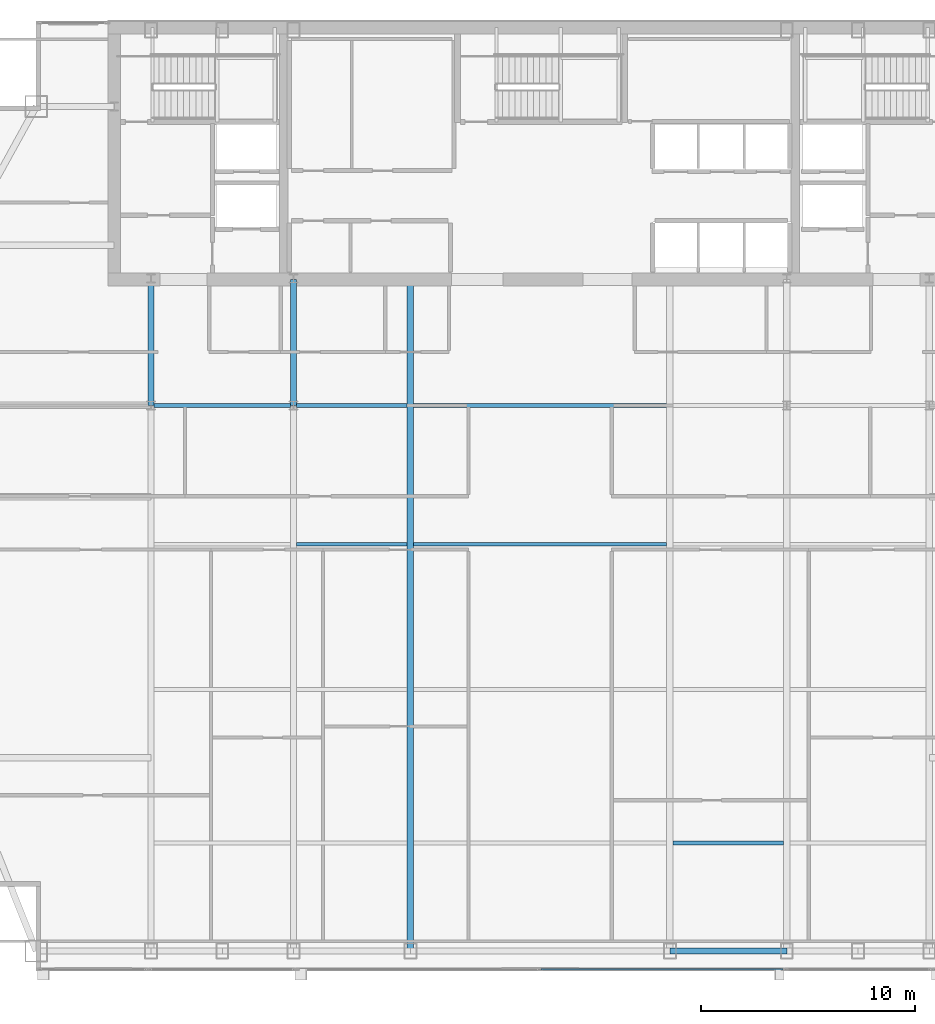
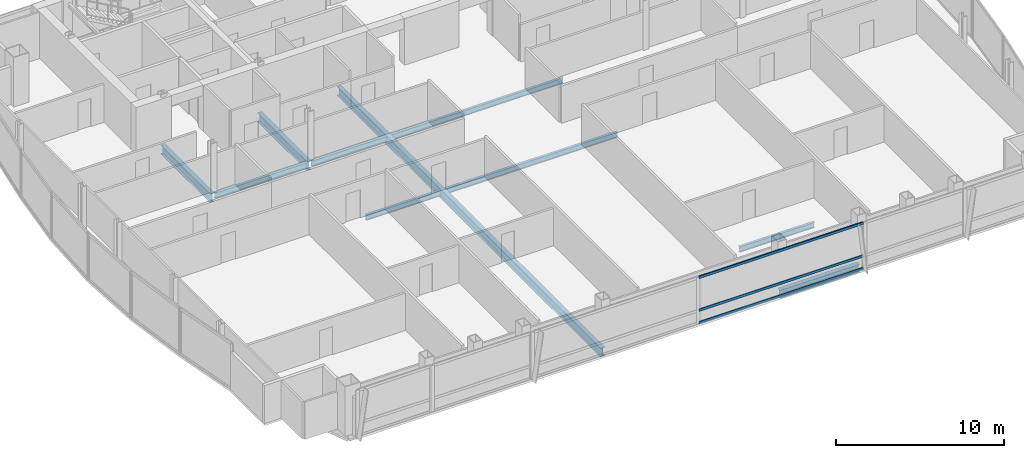
# One storey, part 13 of 30: 10 beams, 3 members, 1 element without a shape of its own.
"""IFC4 building model written with IfcOpenShell, lengths in metres."""

from ifc_helpers import new_model, si_unit, direction, frame, origin, origin_2d, place, context, subcontext, project, spatial, hollow_rectangle, i_section, extrude, material, material_profile, profile_set, type_object, element, aggregate, save


model = new_model("IFC4")

# Units and contexts
model_context = context("Model", 3, precision=1e-05, world=origin(), true_north=direction((0.0, 1.0)))
body_context = subcontext(model_context, "Body", "Model", "MODEL_VIEW")
ifc_project = project(units=[si_unit("LENGTHUNIT", "METRE"), si_unit("AREAUNIT", "SQUARE_METRE"), si_unit("VOLUMEUNIT", "CUBIC_METRE"), si_unit("PLANEANGLEUNIT", "RADIAN"), si_unit("MASSUNIT", "GRAM", prefix="KILO")], contexts=[model_context])

# Site, building, storey
site_placement = place(None, origin())
site = spatial("IfcSite", under=ifc_project, at=site_placement, CompositionType="ELEMENT")
building_placement = place(site_placement, origin())
building = spatial("IfcBuilding", under=site, at=building_placement, Name="Khoronbel Lancet Exchange", CompositionType="ELEMENT")
storey_placement = place(building_placement, frame((0.0, 0.0, 253.39990234375)))
storey = spatial("IfcBuildingStorey", under=building, at=storey_placement, Name="L65", CompositionType="ELEMENT", Elevation=253.39990234375)

# Beams
ifc_material_1 = material(Name="Steel S355", Category="steel")
ifc_material_profile_1 = material_profile(ifc_material_1, i_section(OverallWidth=0.300048828125, OverallDepth=0.64990234375, WebThickness=0.01611328125, FlangeThickness=0.031005859375, at=origin_2d()), Name="HEB 650")
ifc_profile_set_1 = profile_set([ifc_material_profile_1], Name="Steel S355")
beam_type_1 = type_object("IfcBeamType", Name="BM-BG4", PredefinedType="BEAM", material=ifc_profile_set_1)
for number, where, z_axis, x_axis, name in (
    (1, (18.22509765625, 35.699951171875, -0.48486328125), (0.0, 1.0, 0.0), (-1.0, 0.0, 0.0), "Level L65 spine tie girder GN1"),
    (2, (24.89990234375, 35.699951171875, -0.48486328125), (0.0, 1.0, 0.0), (-1.0, 0.0, 0.0), "Level L65 spine tie girder GN2"),
):
    element("IfcBeam", number, at=place(storey_placement, frame(where, z_axis=z_axis, x_axis=x_axis)), inside=storey, type_object=beam_type_1, Name=name, PredefinedType="BEAM", context=body_context, shape_type="SweptSolid", body=[
        extrude(i_section(OverallWidth=0.300048828125, OverallDepth=0.64990234375, WebThickness=0.01611328125, FlangeThickness=0.031005859375, at=origin_2d()), origin(), (0.0, 0.0, 1.0), 5.900146484375),
    ])
beam_1_placement = place(storey_placement, frame((30.375, 10.14990234375, -0.48486328125), z_axis=(0.0, 1.0, 0.0), x_axis=(-1.0, 0.0, 0.0)))
element("IfcBeam", 3, at=beam_1_placement, inside=storey, type_object=beam_type_1, Name="Level L65 primary floor girder G3", PredefinedType="BEAM", context=body_context, shape_type="SweptSolid", body=[
    extrude(i_section(OverallWidth=0.300048828125, OverallDepth=0.64990234375, WebThickness=0.01611328125, FlangeThickness=0.031005859375, at=origin_2d()), origin(), (0.0, 0.0, 1.0), 31.4501953125),
])
ifc_material_profile_2 = material_profile(ifc_material_1, i_section(OverallWidth=0.179931640625, OverallDepth=0.39990234375, WebThickness=0.008544921875, FlangeThickness=0.013427734375, at=origin_2d()), Name="IPE 400")
ifc_profile_set_2 = profile_set([ifc_material_profile_2], Name="Steel S355")
beam_type_2 = type_object("IfcBeamType", Name="BM-BJ5", PredefinedType="JOIST", material=ifc_profile_set_2)
for number, where, z_axis, x_axis, name in (
    (4, (42.675048828125, 15.199951171875, -0.35986328125), (1.0, 0.0, 0.0), (0.0, 1.0, 0.0), "Level L65 secondary composite joist J04"),
    (5, (25.050048828125, 29.199951171875, -0.35986328125), (1.0, 0.0, 0.0), (0.0, 1.0, 0.0), "Level L65 secondary composite joist J12"),
):
    element("IfcBeam", number, at=place(storey_placement, frame(where, z_axis=z_axis, x_axis=x_axis)), inside=storey, type_object=beam_type_2, Name=name, PredefinedType="JOIST", context=body_context, shape_type="SweptSolid", body=[
        extrude(i_section(OverallWidth=0.179931640625, OverallDepth=0.39990234375, WebThickness=0.008544921875, FlangeThickness=0.013427734375, at=origin_2d()), origin(), (0.0, 0.0, 1.0), 5.175048828125),
    ])
beam_2_placement = place(storey_placement, frame((30.52490234375, 29.199951171875, -0.35986328125), z_axis=(1.0, 0.0, 0.0), x_axis=(0.0, 1.0, 0.0)))
element("IfcBeam", 6, at=beam_2_placement, inside=storey, type_object=beam_type_2, Name="Level L65 secondary composite joist J13", PredefinedType="JOIST", context=body_context, shape_type="SweptSolid", body=[
    extrude(i_section(OverallWidth=0.179931640625, OverallDepth=0.39990234375, WebThickness=0.008544921875, FlangeThickness=0.013427734375, at=origin_2d()), origin(), (0.0, 0.0, 1.0), 11.85009765625),
])
beam_3_placement = place(storey_placement, frame((18.375, 35.699951171875, -0.35986328125), z_axis=(1.0, 0.0, 0.0), x_axis=(0.0, 1.0, 0.0)))
element("IfcBeam", 7, at=beam_3_placement, inside=storey, type_object=beam_type_2, Name="Level L65 secondary composite joist J16", PredefinedType="JOIST", context=body_context, shape_type="SweptSolid", body=[
    extrude(i_section(OverallWidth=0.179931640625, OverallDepth=0.39990234375, WebThickness=0.008544921875, FlangeThickness=0.013427734375, at=origin_2d()), origin(), (0.0, 0.0, 1.0), 6.375),
])
beam_4_placement = place(storey_placement, frame((25.050048828125, 35.699951171875, -0.35986328125), z_axis=(1.0, 0.0, 0.0), x_axis=(0.0, 1.0, 0.0)))
element("IfcBeam", 8, at=beam_4_placement, inside=storey, type_object=beam_type_2, Name="Level L65 secondary composite joist J17", PredefinedType="JOIST", context=body_context, shape_type="SweptSolid", body=[
    extrude(i_section(OverallWidth=0.179931640625, OverallDepth=0.39990234375, WebThickness=0.008544921875, FlangeThickness=0.013427734375, at=origin_2d()), origin(), (0.0, 0.0, 1.0), 5.175048828125),
])
beam_5_placement = place(storey_placement, frame((30.52490234375, 35.699951171875, -0.35986328125), z_axis=(1.0, 0.0, 0.0), x_axis=(0.0, 1.0, 0.0)))
element("IfcBeam", 9, at=beam_5_placement, inside=storey, type_object=beam_type_2, Name="Level L65 secondary composite joist J18", PredefinedType="JOIST", context=body_context, shape_type="SweptSolid", body=[
    extrude(i_section(OverallWidth=0.179931640625, OverallDepth=0.39990234375, WebThickness=0.008544921875, FlangeThickness=0.013427734375, at=origin_2d()), origin(), (0.0, 0.0, 1.0), 11.85009765625),
])
ifc_material_profile_3 = material_profile(ifc_material_1, i_section(OverallWidth=0.300048828125, OverallDepth=0.60009765625, WebThickness=0.015380859375, FlangeThickness=0.030029296875, at=origin_2d()), Name="HEB 600")
ifc_profile_set_3 = profile_set([ifc_material_profile_3], Name="Steel S355")
beam_type_3 = type_object("IfcBeamType", Name="BM-BSP2", PredefinedType="SPANDREL", material=ifc_profile_set_3)
beam_6_placement = place(storey_placement, frame((42.52490234375, 10.14990234375, -0.4599609375), z_axis=(1.0, 0.0, 0.0), x_axis=(0.0, 1.0, 0.0)))
element("IfcBeam", 10, at=beam_6_placement, inside=storey, type_object=beam_type_3, Name="Level L65 perimeter spandrel beam SP06", PredefinedType="SPANDREL", context=body_context, shape_type="SweptSolid", body=[
    extrude(i_section(OverallWidth=0.300048828125, OverallDepth=0.60009765625, WebThickness=0.015380859375, FlangeThickness=0.030029296875, at=origin_2d()), origin(), (0.0, 0.0, 1.0), 5.47509765625),
])

# Curtain wall, members
ifc_material_2 = material(Name="Low-E Solar Control Insulating Glass", Category="glass")
curtain_wall_type = type_object("IfcCurtainWallType", Name="CW-3", PredefinedType="NOTDEFINED", material=ifc_material_2)
curtain_wall_placement = place(storey_placement, origin())
curtain_wall = element("IfcCurtainWall", 11, at=curtain_wall_placement, inside=storey, type_object=curtain_wall_type, Name="Unitised curtain wall CW-L65-SCV", PredefinedType="NOTDEFINED")
ifc_material_3 = material(Name="Bronze-Anodised Aluminium 6063-T6", Category="aluminium")
ifc_material_profile_4 = material_profile(ifc_material_3, hollow_rectangle(XDim=0.0849609375, YDim=0.179931640625, WallThickness=0.0048828125, at=origin_2d()), Name="ALU TRANSOM 85x180")
ifc_profile_set_4 = profile_set([ifc_material_profile_4], Name="Bronze-Anodised Aluminium 6063-T6")
member_type = type_object("IfcMemberType", Name="MEM-CWT1", PredefinedType="USERDEFINED", material=ifc_profile_set_4)
member_1_placement = place(storey_placement, frame((36.492431640625, 9.2900390625, 0.04248046875), z_axis=(1.0, 0.0, 0.0), x_axis=(0.0, 1.0, 0.0)))
member_1 = element("IfcMember", 12, at=member_1_placement, type_object=member_type, Name="CW3 transom 2.1", ObjectType="TRANSOM", PredefinedType="USERDEFINED", context=body_context, shape_type="SweptSolid", body=[
    extrude(hollow_rectangle(XDim=0.0849609375, YDim=0.179931640625, WallThickness=0.0048828125, at=origin_2d()), origin(), (0.0, 0.0, 1.0), 11.322509765625),
])
member_2_placement = place(storey_placement, frame((36.492431640625, 9.2900390625, 0.9501953125), z_axis=(1.0, 0.0, 0.0), x_axis=(0.0, 1.0, 0.0)))
member_2 = element("IfcMember", 13, at=member_2_placement, type_object=member_type, Name="CW3 transom 2.2", ObjectType="TRANSOM", PredefinedType="USERDEFINED", context=body_context, shape_type="SweptSolid", body=[
    extrude(hollow_rectangle(XDim=0.0849609375, YDim=0.179931640625, WallThickness=0.0048828125, at=origin_2d()), origin(), (0.0, 0.0, 1.0), 11.322509765625),
])
member_3_placement = place(storey_placement, frame((36.492431640625, 9.2900390625, 3.337646484375), z_axis=(1.0, 0.0, 0.0), x_axis=(0.0, 1.0, 0.0)))
member_3 = element("IfcMember", 14, at=member_3_placement, type_object=member_type, Name="CW3 transom 2.3", ObjectType="TRANSOM", PredefinedType="USERDEFINED", context=body_context, shape_type="SweptSolid", body=[
    extrude(hollow_rectangle(XDim=0.0849609375, YDim=0.179931640625, WallThickness=0.0048828125, at=origin_2d()), origin(), (0.0, 0.0, 1.0), 11.322509765625),
])
aggregate(curtain_wall, [member_1, member_2, member_3])

save(model, "model.ifc")
